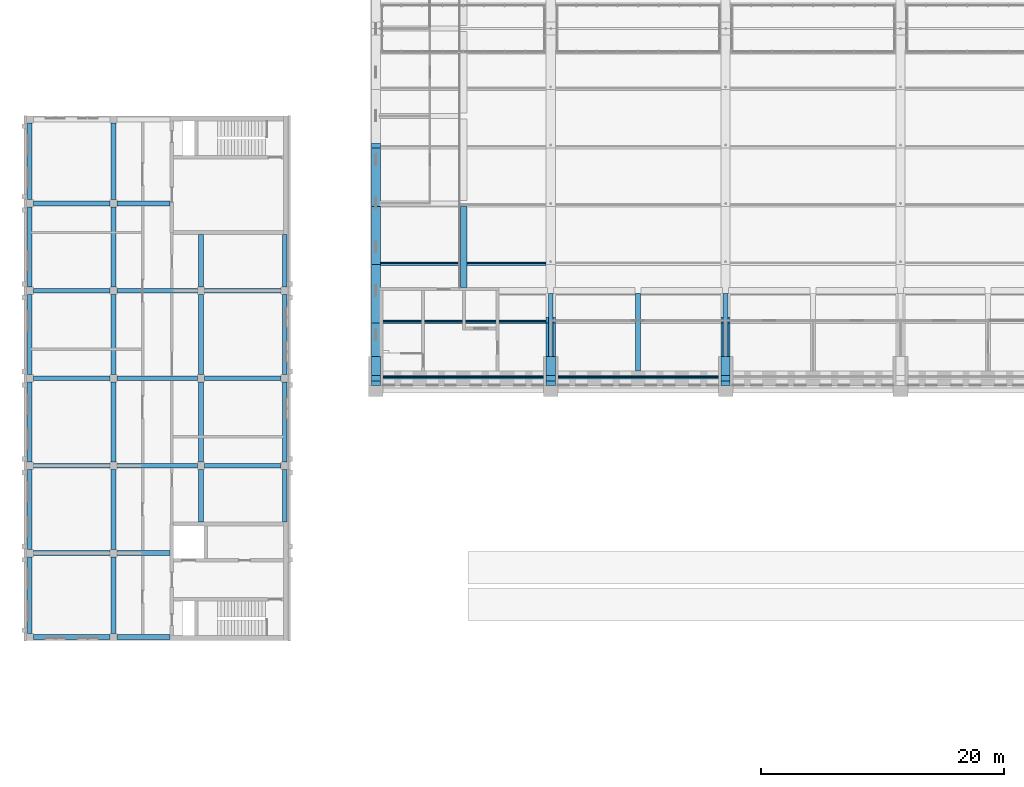
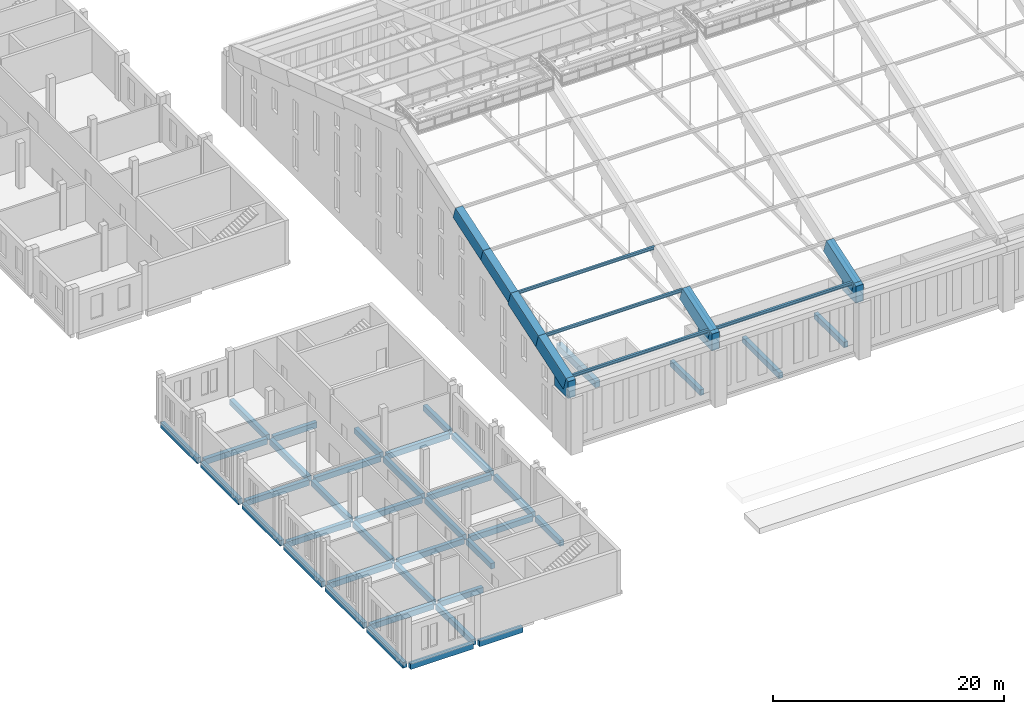
# One storey, part 5 of 149: 45 beams, 7 members.
"""IFC4 building model written with IfcOpenShell, lengths in metres."""

from ifc_helpers import new_model, si_unit, direction, frame, origin, origin_2d, place, context, subcontext, project, spatial, polyline, rectangle, i_section, outline, extrude, material, material_profile, profile_set, type_object, element, save


model = new_model("IFC4")

# Units and contexts
model_context = context("Model", 3, precision=1e-05, world=origin(), true_north=direction((0.0, 1.0)))
body_context = subcontext(model_context, "Body", "Model", "MODEL_VIEW")
ifc_project = project(units=[si_unit("LENGTHUNIT", "METRE"), si_unit("AREAUNIT", "SQUARE_METRE"), si_unit("VOLUMEUNIT", "CUBIC_METRE"), si_unit("PLANEANGLEUNIT", "RADIAN"), si_unit("MASSUNIT", "GRAM", prefix="KILO")], contexts=[model_context])

# Site, building, storey
site_placement = place(None, origin())
site = spatial("IfcSite", under=ifc_project, at=site_placement, CompositionType="ELEMENT")
building_placement = place(site_placement, origin())
building = spatial("IfcBuilding", under=site, at=building_placement, Name="Alderwick Market Hall", CompositionType="ELEMENT")
storey_placement = place(building_placement, frame((0.0, 0.0, 9.60009765625)))
storey = spatial("IfcBuildingStorey", under=building, at=storey_placement, Name="L01", CompositionType="ELEMENT", Elevation=9.60009765625)

# Beams
ifc_material_1 = material(Name="Concrete 5000 psi (f'c 35 MPa)", Category="concrete")
ifc_material_profile_1 = material_profile(ifc_material_1, rectangle(XDim=0.39990234375, YDim=0.60009765625, at=origin_2d()), Name="B RC Beam 400x600")
ifc_profile_set_1 = profile_set([ifc_material_profile_1], Name="Concrete 5000 psi (f'c 35 MPa)")
beam_type_1 = type_object("IfcBeamType", Name="B RC Beam 400x600", PredefinedType="BEAM", material=ifc_profile_set_1)
beam_1_placement = place(storey_placement, frame((22.199951171875, 29.10009765625, -0.550048828125), z_axis=(1.0, 0.0, 0.0), x_axis=(0.0, 1.0, 0.0)))
element("IfcBeam", 1, at=beam_1_placement, inside=storey, type_object=beam_type_1, Name="B.S.beam.L01.u003-0006", PredefinedType="BEAM", context=body_context, shape_type="SweptSolid", body=[
    extrude(rectangle(XDim=0.39990234375, YDim=0.60009765625, at=origin_2d()), origin(), (0.0, 0.0, 1.0), 6.300048828125),
])
beam_2_placement = place(storey_placement, frame((29.10009765625, 29.10009765625, -0.550048828125), z_axis=(1.0, 0.0, 0.0), x_axis=(0.0, 1.0, 0.0)))
element("IfcBeam", 2, at=beam_2_placement, inside=storey, type_object=beam_type_1, Name="B.S.beam.L01.u003-0075", PredefinedType="BEAM", context=body_context, shape_type="SweptSolid", body=[
    extrude(rectangle(XDim=0.39990234375, YDim=0.60009765625, at=origin_2d()), origin(), (0.0, 0.0, 1.0), 4.349853515625),
])
beam_3_placement = place(storey_placement, frame((22.199951171875, 36.0, -0.550048828125), z_axis=(1.0, 0.0, 0.0), x_axis=(0.0, 1.0, 0.0)))
element("IfcBeam", 3, at=beam_3_placement, inside=storey, type_object=beam_type_1, Name="B.S.beam.L01.u072-0006", PredefinedType="BEAM", context=body_context, shape_type="SweptSolid", body=[
    extrude(rectangle(XDim=0.39990234375, YDim=0.60009765625, at=origin_2d()), origin(), (0.0, 0.0, 1.0), 6.300048828125),
])
beam_4_placement = place(storey_placement, frame((29.10009765625, 36.0, -0.550048828125), z_axis=(1.0, 0.0, 0.0), x_axis=(0.0, 1.0, 0.0)))
element("IfcBeam", 4, at=beam_4_placement, inside=storey, type_object=beam_type_1, Name="B.S.beam.L01.u072-0075", PredefinedType="BEAM", context=body_context, shape_type="SweptSolid", body=[
    extrude(rectangle(XDim=0.39990234375, YDim=0.60009765625, at=origin_2d()), origin(), (0.0, 0.0, 1.0), 4.349853515625),
])
beam_5_placement = place(storey_placement, frame((22.199951171875, 43.199951171875, -0.550048828125), z_axis=(1.0, 0.0, 0.0), x_axis=(0.0, 1.0, 0.0)))
element("IfcBeam", 5, at=beam_5_placement, inside=storey, type_object=beam_type_1, Name="B.S.beam.L01.u144-0006", PredefinedType="BEAM", context=body_context, shape_type="SweptSolid", body=[
    extrude(rectangle(XDim=0.39990234375, YDim=0.60009765625, at=origin_2d()), origin(), (0.0, 0.0, 1.0), 6.300048828125),
])
beam_6_placement = place(storey_placement, frame((29.10009765625, 43.199951171875, -0.550048828125), z_axis=(1.0, 0.0, 0.0), x_axis=(0.0, 1.0, 0.0)))
element("IfcBeam", 6, at=beam_6_placement, inside=storey, type_object=beam_type_1, Name="B.S.beam.L01.u144-0075", PredefinedType="BEAM", context=body_context, shape_type="SweptSolid", body=[
    extrude(rectangle(XDim=0.39990234375, YDim=0.60009765625, at=origin_2d()), origin(), (0.0, 0.0, 1.0), 6.599853515625),
])
for number, where, z_axis, x_axis, name in (
    (7, (36.300048828125, 43.199951171875, -0.550048828125), (1.0, 0.0, 0.0), (0.0, 1.0, 0.0), "B.S.beam.L01.u144-0147"),
    (8, (22.199951171875, 50.39990234375, -0.550048828125), (1.0, 0.0, 0.0), (0.0, 1.0, 0.0), "B.S.beam.L01.u216-0006"),
):
    element("IfcBeam", number, at=place(storey_placement, frame(where, z_axis=z_axis, x_axis=x_axis)), inside=storey, type_object=beam_type_1, Name=name, PredefinedType="BEAM", context=body_context, shape_type="SweptSolid", body=[
        extrude(rectangle(XDim=0.39990234375, YDim=0.60009765625, at=origin_2d()), origin(), (0.0, 0.0, 1.0), 6.300048828125),
    ])
beam_7_placement = place(storey_placement, frame((29.10009765625, 50.39990234375, -0.550048828125), z_axis=(1.0, 0.0, 0.0), x_axis=(0.0, 1.0, 0.0)))
element("IfcBeam", 9, at=beam_7_placement, inside=storey, type_object=beam_type_1, Name="B.S.beam.L01.u216-0075", PredefinedType="BEAM", context=body_context, shape_type="SweptSolid", body=[
    extrude(rectangle(XDim=0.39990234375, YDim=0.60009765625, at=origin_2d()), origin(), (0.0, 0.0, 1.0), 6.599853515625),
])
for number, where, z_axis, x_axis, name in (
    (10, (36.300048828125, 50.39990234375, -0.550048828125), (1.0, 0.0, 0.0), (0.0, 1.0, 0.0), "B.S.beam.L01.u216-0147"),
    (11, (22.199951171875, 57.60009765625, -0.550048828125), (1.0, 0.0, 0.0), (0.0, 1.0, 0.0), "B.S.beam.L01.u288-0006"),
):
    element("IfcBeam", number, at=place(storey_placement, frame(where, z_axis=z_axis, x_axis=x_axis)), inside=storey, type_object=beam_type_1, Name=name, PredefinedType="BEAM", context=body_context, shape_type="SweptSolid", body=[
        extrude(rectangle(XDim=0.39990234375, YDim=0.60009765625, at=origin_2d()), origin(), (0.0, 0.0, 1.0), 6.300048828125),
    ])
beam_8_placement = place(storey_placement, frame((29.10009765625, 57.60009765625, -0.550048828125), z_axis=(1.0, 0.0, 0.0), x_axis=(0.0, 1.0, 0.0)))
element("IfcBeam", 12, at=beam_8_placement, inside=storey, type_object=beam_type_1, Name="B.S.beam.L01.u288-0075", PredefinedType="BEAM", context=body_context, shape_type="SweptSolid", body=[
    extrude(rectangle(XDim=0.39990234375, YDim=0.60009765625, at=origin_2d()), origin(), (0.0, 0.0, 1.0), 6.599853515625),
])
for number, where, z_axis, x_axis, name in (
    (13, (36.300048828125, 57.60009765625, -0.550048828125), (1.0, 0.0, 0.0), (0.0, 1.0, 0.0), "B.S.beam.L01.u288-0147"),
    (14, (22.199951171875, 64.800048828125, -0.550048828125), (1.0, 0.0, 0.0), (0.0, 1.0, 0.0), "B.S.beam.L01.u360-0006"),
):
    element("IfcBeam", number, at=place(storey_placement, frame(where, z_axis=z_axis, x_axis=x_axis)), inside=storey, type_object=beam_type_1, Name=name, PredefinedType="BEAM", context=body_context, shape_type="SweptSolid", body=[
        extrude(rectangle(XDim=0.39990234375, YDim=0.60009765625, at=origin_2d()), origin(), (0.0, 0.0, 1.0), 6.300048828125),
    ])
beam_9_placement = place(storey_placement, frame((29.10009765625, 64.800048828125, -0.550048828125), z_axis=(1.0, 0.0, 0.0), x_axis=(0.0, 1.0, 0.0)))
element("IfcBeam", 15, at=beam_9_placement, inside=storey, type_object=beam_type_1, Name="B.S.beam.L01.u360-0075", PredefinedType="BEAM", context=body_context, shape_type="SweptSolid", body=[
    extrude(rectangle(XDim=0.39990234375, YDim=0.60009765625, at=origin_2d()), origin(), (0.0, 0.0, 1.0), 4.349853515625),
])
beam_10_placement = place(storey_placement, frame((21.89990234375, 29.39990234375, -0.550048828125), z_axis=(0.0, 1.0, 0.0), x_axis=(-1.0, 0.0, 0.0)))
element("IfcBeam", 16, at=beam_10_placement, inside=storey, type_object=beam_type_1, Name="B.S.beam.L01.w003-0006", PredefinedType="BEAM", context=body_context, shape_type="SweptSolid", body=[
    extrude(rectangle(XDim=0.39990234375, YDim=0.60009765625, at=origin_2d()), origin(), (0.0, 0.0, 1.0), 6.300048828125),
])
beam_11_placement = place(storey_placement, frame((21.89990234375, 36.300048828125, -0.550048828125), z_axis=(0.0, 1.0, 0.0), x_axis=(-1.0, 0.0, 0.0)))
element("IfcBeam", 17, at=beam_11_placement, inside=storey, type_object=beam_type_1, Name="B.S.beam.L01.w003-0075", PredefinedType="BEAM", context=body_context, shape_type="SweptSolid", body=[
    extrude(rectangle(XDim=0.39990234375, YDim=0.60009765625, at=origin_2d()), origin(), (0.0, 0.0, 1.0), 6.599853515625),
])
for number, where, z_axis, x_axis, name in (
    (18, (21.89990234375, 43.5, -0.550048828125), (0.0, 1.0, 0.0), (-1.0, 0.0, 0.0), "B.S.beam.L01.w003-0147"),
    (19, (21.89990234375, 50.699951171875, -0.550048828125), (0.0, 1.0, 0.0), (-1.0, 0.0, 0.0), "B.S.beam.L01.w003-0219"),
    (20, (21.89990234375, 57.89990234375, -0.550048828125), (0.0, 1.0, 0.0), (-1.0, 0.0, 0.0), "B.S.beam.L01.w003-0291"),
):
    element("IfcBeam", number, at=place(storey_placement, frame(where, z_axis=z_axis, x_axis=x_axis)), inside=storey, type_object=beam_type_1, Name=name, PredefinedType="BEAM", context=body_context, shape_type="SweptSolid", body=[
        extrude(rectangle(XDim=0.39990234375, YDim=0.60009765625, at=origin_2d()), origin(), (0.0, 0.0, 1.0), 6.60009765625),
    ])
beam_12_placement = place(storey_placement, frame((21.89990234375, 65.10009765625, -0.550048828125), z_axis=(0.0, 1.0, 0.0), x_axis=(-1.0, 0.0, 0.0)))
element("IfcBeam", 21, at=beam_12_placement, inside=storey, type_object=beam_type_1, Name="B.S.beam.L01.w003-0363", PredefinedType="BEAM", context=body_context, shape_type="SweptSolid", body=[
    extrude(rectangle(XDim=0.39990234375, YDim=0.60009765625, at=origin_2d()), origin(), (0.0, 0.0, 1.0), 6.2998046875),
])
beam_13_placement = place(storey_placement, frame((28.800048828125, 29.39990234375, -0.550048828125), z_axis=(0.0, 1.0, 0.0), x_axis=(-1.0, 0.0, 0.0)))
element("IfcBeam", 22, at=beam_13_placement, inside=storey, type_object=beam_type_1, Name="B.S.beam.L01.w072-0006", PredefinedType="BEAM", context=body_context, shape_type="SweptSolid", body=[
    extrude(rectangle(XDim=0.39990234375, YDim=0.60009765625, at=origin_2d()), origin(), (0.0, 0.0, 1.0), 6.300048828125),
])
beam_14_placement = place(storey_placement, frame((28.800048828125, 36.300048828125, -0.550048828125), z_axis=(0.0, 1.0, 0.0), x_axis=(-1.0, 0.0, 0.0)))
element("IfcBeam", 23, at=beam_14_placement, inside=storey, type_object=beam_type_1, Name="B.S.beam.L01.w072-0075", PredefinedType="BEAM", context=body_context, shape_type="SweptSolid", body=[
    extrude(rectangle(XDim=0.39990234375, YDim=0.60009765625, at=origin_2d()), origin(), (0.0, 0.0, 1.0), 6.599853515625),
])
for number, where, z_axis, x_axis, name in (
    (24, (28.800048828125, 43.5, -0.550048828125), (0.0, 1.0, 0.0), (-1.0, 0.0, 0.0), "B.S.beam.L01.w072-0147"),
    (25, (28.800048828125, 50.699951171875, -0.550048828125), (0.0, 1.0, 0.0), (-1.0, 0.0, 0.0), "B.S.beam.L01.w072-0219"),
    (26, (28.800048828125, 57.89990234375, -0.550048828125), (0.0, 1.0, 0.0), (-1.0, 0.0, 0.0), "B.S.beam.L01.w072-0291"),
):
    element("IfcBeam", number, at=place(storey_placement, frame(where, z_axis=z_axis, x_axis=x_axis)), inside=storey, type_object=beam_type_1, Name=name, PredefinedType="BEAM", context=body_context, shape_type="SweptSolid", body=[
        extrude(rectangle(XDim=0.39990234375, YDim=0.60009765625, at=origin_2d()), origin(), (0.0, 0.0, 1.0), 6.60009765625),
    ])
beam_15_placement = place(storey_placement, frame((28.800048828125, 65.10009765625, -0.550048828125), z_axis=(0.0, 1.0, 0.0), x_axis=(-1.0, 0.0, 0.0)))
element("IfcBeam", 27, at=beam_15_placement, inside=storey, type_object=beam_type_1, Name="B.S.beam.L01.w072-0363", PredefinedType="BEAM", context=body_context, shape_type="SweptSolid", body=[
    extrude(rectangle(XDim=0.39990234375, YDim=0.60009765625, at=origin_2d()), origin(), (0.0, 0.0, 1.0), 6.2998046875),
])
beam_16_placement = place(storey_placement, frame((36.0, 38.550048828125, -0.550048828125), z_axis=(0.0, 1.0, 0.0), x_axis=(-1.0, 0.0, 0.0)))
element("IfcBeam", 28, at=beam_16_placement, inside=storey, type_object=beam_type_1, Name="B.S.beam.L01.w144-0098", PredefinedType="BEAM", context=body_context, shape_type="SweptSolid", body=[
    extrude(rectangle(XDim=0.39990234375, YDim=0.60009765625, at=origin_2d()), origin(), (0.0, 0.0, 1.0), 4.349853515625),
])
for number, where, z_axis, x_axis, name in (
    (29, (36.0, 43.5, -0.550048828125), (0.0, 1.0, 0.0), (-1.0, 0.0, 0.0), "B.S.beam.L01.w144-0147"),
    (30, (36.0, 50.699951171875, -0.550048828125), (0.0, 1.0, 0.0), (-1.0, 0.0, 0.0), "B.S.beam.L01.w144-0219"),
):
    element("IfcBeam", number, at=place(storey_placement, frame(where, z_axis=z_axis, x_axis=x_axis)), inside=storey, type_object=beam_type_1, Name=name, PredefinedType="BEAM", context=body_context, shape_type="SweptSolid", body=[
        extrude(rectangle(XDim=0.39990234375, YDim=0.60009765625, at=origin_2d()), origin(), (0.0, 0.0, 1.0), 6.60009765625),
    ])
beam_17_placement = place(storey_placement, frame((36.0, 57.89990234375, -0.550048828125), z_axis=(0.0, 1.0, 0.0), x_axis=(-1.0, 0.0, 0.0)))
element("IfcBeam", 31, at=beam_17_placement, inside=storey, type_object=beam_type_1, Name="B.S.beam.L01.w144-0291", PredefinedType="BEAM", context=body_context, shape_type="SweptSolid", body=[
    extrude(rectangle(XDim=0.39990234375, YDim=0.60009765625, at=origin_2d()), origin(), (0.0, 0.0, 1.0), 4.35009765625),
])
beam_18_placement = place(storey_placement, frame((42.89990234375, 38.550048828125, -0.550048828125), z_axis=(0.0, 1.0, 0.0), x_axis=(-1.0, 0.0, 0.0)))
element("IfcBeam", 32, at=beam_18_placement, inside=storey, type_object=beam_type_1, Name="B.S.beam.L01.w213-0098", PredefinedType="BEAM", context=body_context, shape_type="SweptSolid", body=[
    extrude(rectangle(XDim=0.39990234375, YDim=0.60009765625, at=origin_2d()), origin(), (0.0, 0.0, 1.0), 4.349853515625),
])
for number, where, z_axis, x_axis, name in (
    (33, (42.89990234375, 43.5, -0.550048828125), (0.0, 1.0, 0.0), (-1.0, 0.0, 0.0), "B.S.beam.L01.w213-0147"),
    (34, (42.89990234375, 50.699951171875, -0.550048828125), (0.0, 1.0, 0.0), (-1.0, 0.0, 0.0), "B.S.beam.L01.w213-0219"),
):
    element("IfcBeam", number, at=place(storey_placement, frame(where, z_axis=z_axis, x_axis=x_axis)), inside=storey, type_object=beam_type_1, Name=name, PredefinedType="BEAM", context=body_context, shape_type="SweptSolid", body=[
        extrude(rectangle(XDim=0.39990234375, YDim=0.60009765625, at=origin_2d()), origin(), (0.0, 0.0, 1.0), 6.60009765625),
    ])
beam_19_placement = place(storey_placement, frame((42.89990234375, 57.89990234375, -0.550048828125), z_axis=(0.0, 1.0, 0.0), x_axis=(-1.0, 0.0, 0.0)))
element("IfcBeam", 35, at=beam_19_placement, inside=storey, type_object=beam_type_1, Name="B.S.beam.L01.w213-0291", PredefinedType="BEAM", context=body_context, shape_type="SweptSolid", body=[
    extrude(rectangle(XDim=0.39990234375, YDim=0.60009765625, at=origin_2d()), origin(), (0.0, 0.0, 1.0), 4.35009765625),
])
ifc_material_profile_2 = material_profile(ifc_material_1, rectangle(XDim=0.5, YDim=0.699951171875, at=origin_2d()), Name="RC 500x700")
ifc_profile_set_2 = profile_set([ifc_material_profile_2], Name="Concrete 5000 psi (f'c 35 MPa)")
beam_type_2 = type_object("IfcBeamType", Name="H Edge beam 500x700", PredefinedType="BEAM", material=ifc_profile_set_2)
beam_20_placement = place(storey_placement, frame((57.639892578125, 57.889892578125, -0.60009765625), z_axis=(0.0, 1.0, 0.0), x_axis=(-1.0, 0.0, 0.0)))
element("IfcBeam", 36, at=beam_20_placement, inside=storey, type_object=beam_type_2, Name="Gallery edge beam W", PredefinedType="BEAM", context=body_context, shape_type="SweptSolid", body=[
    extrude(rectangle(XDim=0.5, YDim=0.699951171875, at=origin_2d()), origin(), (0.0, 0.0, 1.0), 6.66015625),
])
ifc_material_profile_3 = material_profile(ifc_material_1, rectangle(XDim=0.39990234375, YDim=0.60009765625, at=origin_2d()), Name="RC 400x600")
ifc_profile_set_3 = profile_set([ifc_material_profile_3], Name="Concrete 5000 psi (f'c 35 MPa)")
beam_type_3 = type_object("IfcBeamType", Name="H Gallery beam 400x600", PredefinedType="BEAM", material=ifc_profile_set_3)
beam_21_placement = place(storey_placement, frame((64.800048828125, 52.199951171875, -0.550048828125), z_axis=(0.0, 1.0, 0.0), x_axis=(-1.0, 0.0, 0.0)))
element("IfcBeam", 37, at=beam_21_placement, inside=storey, type_object=beam_type_3, Name="Gallery beam S", PredefinedType="BEAM", context=body_context, shape_type="SweptSolid", body=[
    extrude(rectangle(XDim=0.39990234375, YDim=0.60009765625, at=origin_2d()), origin(), (0.0, 0.0, 1.0), 5.18994140625),
])
beam_22_placement = place(storey_placement, frame((72.0, 51.0, -0.550048828125), z_axis=(0.0, 1.0, 0.0), x_axis=(-1.0, 0.0, 0.0)))
element("IfcBeam", 38, at=beam_22_placement, inside=storey, type_object=beam_type_3, Name="Gallery beam S", PredefinedType="BEAM", context=body_context, shape_type="SweptSolid", body=[
    extrude(rectangle(XDim=0.39990234375, YDim=0.60009765625, at=origin_2d()), origin(), (0.0, 0.0, 1.0), 6.389892578125),
])
beam_23_placement = place(storey_placement, frame((79.199951171875, 52.199951171875, -0.550048828125), z_axis=(0.0, 1.0, 0.0), x_axis=(-1.0, 0.0, 0.0)))
element("IfcBeam", 39, at=beam_23_placement, inside=storey, type_object=beam_type_3, Name="Gallery beam S", PredefinedType="BEAM", context=body_context, shape_type="SweptSolid", body=[
    extrude(rectangle(XDim=0.39990234375, YDim=0.60009765625, at=origin_2d()), origin(), (0.0, 0.0, 1.0), 5.18994140625),
])
ifc_material_profile_4 = material_profile(ifc_material_1, rectangle(XDim=0.75, YDim=1.300048828125, at=origin_2d()), Name="RC 750x1300")
ifc_profile_set_4 = profile_set([ifc_material_profile_4], Name="Concrete 5000 psi (f'c 35 MPa)")
beam_type_4 = type_object("IfcBeamType", Name="R Arch Rib Haunch 750x1300", PredefinedType="BEAM", material=ifc_profile_set_4)
beam_24_placement = place(storey_placement, frame((50.39990234375, 59.96826171875, 9.894775390625), z_axis=(0.0, 0.948678472761, 0.316242241517), x_axis=(-1.0, 0.0, 0.0)))
element("IfcBeam", 40, at=beam_24_placement, inside=storey, type_object=beam_type_4, Name="Arch rib 1 chord 3", PredefinedType="BEAM", context=body_context, shape_type="SweptSolid", body=[
    extrude(rectangle(XDim=0.75, YDim=1.300048828125, at=origin_2d()), origin(), (0.0, 0.0, 1.0), 5.059814453125),
])
beam_25_placement = place(storey_placement, frame((50.39990234375, 64.768310546875, 11.494873046875), z_axis=(0.0, 0.948692948114, 0.316198814353), x_axis=(-1.0, 0.0, 0.0)))
element("IfcBeam", 41, at=beam_25_placement, inside=storey, type_object=beam_type_4, Name="Arch rib 1 chord 4", PredefinedType="BEAM", context=body_context, shape_type="SweptSolid", body=[
    extrude(rectangle(XDim=0.75, YDim=1.300048828125, at=origin_2d()), origin(), (0.0, 0.0, 1.0), 5.0595703125),
])
ifc_material_profile_5 = material_profile(ifc_material_1, rectangle(XDim=0.75, YDim=1.5, at=origin_2d()), Name="RC 750x1500")
ifc_profile_set_5 = profile_set([ifc_material_profile_5], Name="Concrete 5000 psi (f'c 35 MPa)")
beam_type_5 = type_object("IfcBeamType", Name="R Arch Rib Springing 750x1500", PredefinedType="BEAM", material=ifc_profile_set_5)
beam_26_placement = place(storey_placement, frame((50.39990234375, 50.39990234375, 6.599853515625), z_axis=(0.0, 0.948678472761, 0.316242241517), x_axis=(-1.0, 0.0, 0.0)))
element("IfcBeam", 42, at=beam_26_placement, inside=storey, type_object=beam_type_5, Name="Arch rib 1 chord 1", PredefinedType="BEAM", context=body_context, shape_type="SweptSolid", body=[
    extrude(rectangle(XDim=0.75, YDim=1.5, at=origin_2d()), origin(), (0.0, 0.0, 1.0), 5.059814453125),
])
beam_27_placement = place(storey_placement, frame((50.39990234375, 55.199951171875, 8.199951171875), z_axis=(0.0, 0.948692948114, 0.316198814353), x_axis=(-1.0, 0.0, 0.0)))
element("IfcBeam", 43, at=beam_27_placement, inside=storey, type_object=beam_type_5, Name="Arch rib 1 chord 2", PredefinedType="BEAM", context=body_context, shape_type="SweptSolid", body=[
    extrude(rectangle(XDim=0.75, YDim=1.5, at=origin_2d()), origin(), (0.0, 0.0, 1.0), 5.0595703125),
])
for number, where, z_axis, x_axis, name in (
    (44, (64.800048828125, 50.39990234375, 6.599853515625), (0.0, 0.948678472761, 0.316242241517), (-1.0, 0.0, 0.0), "Arch rib 2 chord 1"),
    (45, (79.199951171875, 50.39990234375, 6.599853515625), (0.0, 0.948678472761, 0.316242241517), (-1.0, 0.0, 0.0), "Arch rib 3 chord 1"),
):
    element("IfcBeam", number, at=place(storey_placement, frame(where, z_axis=z_axis, x_axis=x_axis)), inside=storey, type_object=beam_type_5, Name=name, PredefinedType="BEAM", context=body_context, shape_type="SweptSolid", body=[
        extrude(rectangle(XDim=0.75, YDim=1.5, at=origin_2d()), origin(), (0.0, 0.0, 1.0), 5.059814453125),
    ])

# Members
ifc_material_2 = material(Name="Steel ASTM A992 Grade 50", Category="steel")
ifc_material_profile_6 = material_profile(ifc_material_2, i_section(OverallWidth=0.153076171875, OverallDepth=0.455078125, WebThickness=0.008056640625, FlangeThickness=0.01318359375, at=origin_2d()), Name="W18x40")
ifc_profile_set_6 = profile_set([ifc_material_profile_6], Name="Steel ASTM A992 Grade 50")
member_type_1 = type_object("IfcMemberType", Name="R Purlin W18x40", PredefinedType="PURLIN", material=ifc_profile_set_6)
member_1_placement = place(storey_placement, frame((50.77490234375, 50.473876953125, 7.1689453125), z_axis=(1.0, 0.0, 0.0), x_axis=(0.0, 0.948683297073, 0.316227768949)))
element("IfcMember", 46, at=member_1_placement, inside=storey, type_object=member_type_1, Name="Roof purlin 1.1", PredefinedType="PURLIN", context=body_context, shape_type="SweptSolid", body=[
    extrude(i_section(OverallWidth=0.153076171875, OverallDepth=0.455078125, WebThickness=0.008056640625, FlangeThickness=0.01318359375, at=origin_2d()), origin(), (0.0, 0.0, 1.0), 13.650146484375),
])
member_2_placement = place(storey_placement, frame((65.175048828125, 50.473876953125, 7.1689453125), z_axis=(1.0, 0.0, 0.0), x_axis=(0.0, 0.948683297073, 0.316227768949)))
element("IfcMember", 47, at=member_2_placement, inside=storey, type_object=member_type_1, Name="Roof purlin 1.2", PredefinedType="PURLIN", context=body_context, shape_type="SweptSolid", body=[
    extrude(i_section(OverallWidth=0.153076171875, OverallDepth=0.455078125, WebThickness=0.008056640625, FlangeThickness=0.01318359375, at=origin_2d()), origin(), (0.0, 0.0, 1.0), 13.64990234375),
])
for number, where, z_axis, x_axis, name in (
    (48, (50.77490234375, 55.03662109375, 8.68994140625), (1.0, 0.0, 0.0), (0.0, 0.948683297073, 0.316227768949), "Roof purlin 2.1"),
    (49, (50.77490234375, 59.836669921875, 10.289794921875), (1.0, 0.0, 0.0), (0.0, 0.948683297073, 0.316227768949), "Roof purlin 3.1"),
):
    element("IfcMember", number, at=place(storey_placement, frame(where, z_axis=z_axis, x_axis=x_axis)), inside=storey, type_object=member_type_1, Name=name, PredefinedType="PURLIN", context=body_context, shape_type="SweptSolid", body=[
        extrude(i_section(OverallWidth=0.153076171875, OverallDepth=0.455078125, WebThickness=0.008056640625, FlangeThickness=0.01318359375, at=origin_2d()), origin(), (0.0, 0.0, 1.0), 13.650146484375),
    ])
ifc_material_profile_7 = material_profile(ifc_material_1, outline(polyline([(0.0, 0.0), (2.39990234375, 0.0), (2.39990234375, 1.009521484375), (0.837158203125, 0.488525390625), (0.36279296875, 1.91162109375), (0.0, 1.79052734375), (0.0, 0.0)])), Name="RC skewback S")
ifc_profile_set_7 = profile_set([ifc_material_profile_7], Name="Concrete 5000 psi (f'c 35 MPa)")
member_type_2 = type_object("IfcMemberType", Name="R Springing Skewback South", PredefinedType="MEMBER", material=ifc_profile_set_7)
for number, where, z_axis, x_axis, name in (
    (50, (50.02490234375, 49.800048828125, 5.39990234375), (1.0, 0.0, 0.0), (0.0, 1.0, 0.0), "Springing skewback S1"),
    (51, (64.425048828125, 49.800048828125, 5.39990234375), (1.0, 0.0, 0.0), (0.0, 1.0, 0.0), "Springing skewback S2"),
    (52, (78.824951171875, 49.800048828125, 5.39990234375), (1.0, 0.0, 0.0), (0.0, 1.0, 0.0), "Springing skewback S3"),
):
    element("IfcMember", number, at=place(storey_placement, frame(where, z_axis=z_axis, x_axis=x_axis)), inside=storey, type_object=member_type_2, Name=name, PredefinedType="MEMBER", context=body_context, shape_type="SweptSolid", body=[
        extrude(outline(polyline([(0.0, 0.0), (2.39990234375, 0.0), (2.39990234375, 1.009521484375), (0.837158203125, 0.488525390625), (0.36279296875, 1.91162109375), (0.0, 1.79052734375), (0.0, 0.0)])), origin(), (0.0, 0.0, 1.0), 0.75),
    ])

save(model, "model.ifc")
